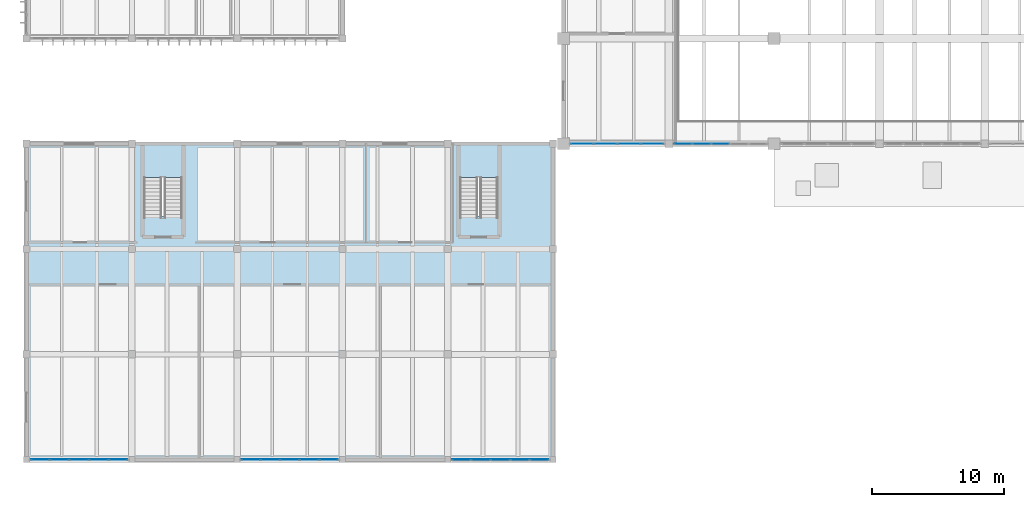
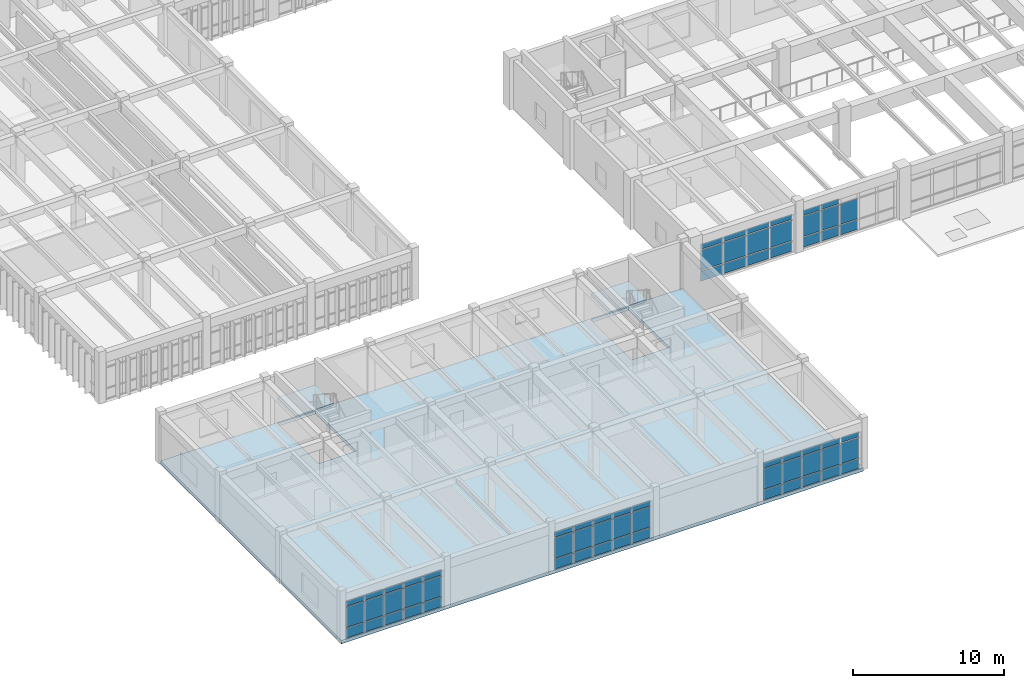
# One storey, part 29 of 67: 65 plates, 3 slabs, 7 elements without a shape of their own.
"""IFC4 building model written with IfcOpenShell, lengths in metres."""

from ifc_helpers import new_model, si_unit, direction, frame, origin, origin_2d, place, context, subcontext, project, spatial, polyline, rectangle, outline, extrude, material, layer, layer_set, type_object, element, aggregate, save


model = new_model("IFC4")

# Units and contexts
model_context = context("Model", 3, precision=1e-05, world=origin(), true_north=direction((0.0, 1.0)))
body_context = subcontext(model_context, "Body", "Model", "MODEL_VIEW")
ifc_project = project(units=[si_unit("LENGTHUNIT", "METRE"), si_unit("AREAUNIT", "SQUARE_METRE"), si_unit("VOLUMEUNIT", "CUBIC_METRE"), si_unit("PLANEANGLEUNIT", "RADIAN"), si_unit("MASSUNIT", "GRAM", prefix="KILO")], contexts=[model_context])

# Site, building, storey
site_placement = place(None, origin())
site = spatial("IfcSite", under=ifc_project, at=site_placement, CompositionType="ELEMENT")
building_placement = place(site_placement, origin())
building = spatial("IfcBuilding", under=site, at=building_placement, Name="Tlaxcora Railside Police Headquarters", CompositionType="ELEMENT")
storey_placement = place(building_placement, frame((0.0, 0.0, 4.800048828125)))
storey = spatial("IfcBuildingStorey", under=building, at=storey_placement, Name="L01", CompositionType="ELEMENT", Elevation=4.800048828125)

# Curtain wall, plates
ifc_material_1 = material(Name="Thermally broken low-E insulated glazing", Category="glass")
curtain_wall_type_1 = type_object("IfcCurtainWallType", Name="Unitised Curtain Wall Assembly CW-23", PredefinedType="NOTDEFINED", material=ifc_material_1)
curtain_wall_1_placement = place(storey_placement, origin())
curtain_wall_1 = element("IfcCurtainWall", 1, at=curtain_wall_1_placement, inside=storey, type_object=curtain_wall_type_1, Name="V4 L01 curtain wall 24", PredefinedType="NOTDEFINED")
ifc_layer_1 = layer(ifc_material_1, 0.0400390625, Name="Thermally broken low-E insulated glazing")
ifc_layer_set_1 = layer_set([ifc_layer_1], Name="Thermally broken low-E insulated glazing")
plate_type_1 = type_object("IfcPlateType", Name="Curtain Wall Infill Panel CW-17", PredefinedType="CURTAIN_PANEL", material=ifc_layer_set_1)
plate_1_placement = place(storey_placement, frame((6.239990234375, 12.0, 0.080078125), z_axis=(0.0, 0.0, 1.0), x_axis=(1.0, 0.0, 0.0)))
plate_1 = element("IfcPlate", 2, at=plate_1_placement, type_object=plate_type_1, Name="CW panel 1.1", PredefinedType="CURTAIN_PANEL", context=body_context, shape_type="SweptSolid", body=[
    extrude(rectangle(XDim=1.3701171875, YDim=0.0400390625, at=origin_2d()), origin(), (0.0, 0.0, 1.0), 0.780029296875),
])
plate_2_placement = place(storey_placement, frame((6.239990234375, 12.0, 0.93994140625), z_axis=(0.0, 0.0, 1.0), x_axis=(1.0, 0.0, 0.0)))
plate_2 = element("IfcPlate", 3, at=plate_2_placement, type_object=plate_type_1, Name="CW panel 1.2", PredefinedType="CURTAIN_PANEL", context=body_context, shape_type="SweptSolid", body=[
    extrude(rectangle(XDim=1.3701171875, YDim=0.0400390625, at=origin_2d()), origin(), (0.0, 0.0, 1.0), 1.6298828125),
])
plate_3_placement = place(storey_placement, frame((6.239990234375, 12.0, 2.64990234375), z_axis=(0.0, 0.0, 1.0), x_axis=(1.0, 0.0, 0.0)))
plate_3 = element("IfcPlate", 4, at=plate_3_placement, type_object=plate_type_1, Name="CW panel 1.3", PredefinedType="CURTAIN_PANEL", context=body_context, shape_type="SweptSolid", body=[
    extrude(rectangle(XDim=1.3701171875, YDim=0.0400390625, at=origin_2d()), origin(), (0.0, 0.0, 1.0), 0.409912109375),
])
plate_4_placement = place(storey_placement, frame((7.7099609375, 12.0, 0.080078125), z_axis=(0.0, 0.0, 1.0), x_axis=(1.0, 0.0, 0.0)))
plate_4 = element("IfcPlate", 5, at=plate_4_placement, type_object=plate_type_1, Name="CW panel 2.1", PredefinedType="CURTAIN_PANEL", context=body_context, shape_type="SweptSolid", body=[
    extrude(rectangle(XDim=1.409912109375, YDim=0.0400390625, at=origin_2d()), origin(), (0.0, 0.0, 1.0), 0.780029296875),
])
plate_5_placement = place(storey_placement, frame((7.7099609375, 12.0, 0.93994140625), z_axis=(0.0, 0.0, 1.0), x_axis=(1.0, 0.0, 0.0)))
plate_5 = element("IfcPlate", 6, at=plate_5_placement, type_object=plate_type_1, Name="CW panel 2.2", PredefinedType="CURTAIN_PANEL", context=body_context, shape_type="SweptSolid", body=[
    extrude(rectangle(XDim=1.409912109375, YDim=0.0400390625, at=origin_2d()), origin(), (0.0, 0.0, 1.0), 1.6298828125),
])
plate_6_placement = place(storey_placement, frame((7.7099609375, 12.0, 2.64990234375), z_axis=(0.0, 0.0, 1.0), x_axis=(1.0, 0.0, 0.0)))
plate_6 = element("IfcPlate", 7, at=plate_6_placement, type_object=plate_type_1, Name="CW panel 2.3", PredefinedType="CURTAIN_PANEL", context=body_context, shape_type="SweptSolid", body=[
    extrude(rectangle(XDim=1.409912109375, YDim=0.0400390625, at=origin_2d()), origin(), (0.0, 0.0, 1.0), 0.409912109375),
])
plate_7_placement = place(storey_placement, frame((9.199951171875, 12.0, 0.080078125), z_axis=(0.0, 0.0, 1.0), x_axis=(1.0, 0.0, 0.0)))
plate_7 = element("IfcPlate", 8, at=plate_7_placement, type_object=plate_type_1, Name="CW panel 3.1", PredefinedType="CURTAIN_PANEL", context=body_context, shape_type="SweptSolid", body=[
    extrude(rectangle(XDim=1.409912109375, YDim=0.0400390625, at=origin_2d()), origin(), (0.0, 0.0, 1.0), 0.780029296875),
])
plate_8_placement = place(storey_placement, frame((9.199951171875, 12.0, 0.93994140625), z_axis=(0.0, 0.0, 1.0), x_axis=(1.0, 0.0, 0.0)))
plate_8 = element("IfcPlate", 9, at=plate_8_placement, type_object=plate_type_1, Name="CW panel 3.2", PredefinedType="CURTAIN_PANEL", context=body_context, shape_type="SweptSolid", body=[
    extrude(rectangle(XDim=1.409912109375, YDim=0.0400390625, at=origin_2d()), origin(), (0.0, 0.0, 1.0), 1.6298828125),
])
plate_9_placement = place(storey_placement, frame((9.199951171875, 12.0, 2.64990234375), z_axis=(0.0, 0.0, 1.0), x_axis=(1.0, 0.0, 0.0)))
plate_9 = element("IfcPlate", 10, at=plate_9_placement, type_object=plate_type_1, Name="CW panel 3.3", PredefinedType="CURTAIN_PANEL", context=body_context, shape_type="SweptSolid", body=[
    extrude(rectangle(XDim=1.409912109375, YDim=0.0400390625, at=origin_2d()), origin(), (0.0, 0.0, 1.0), 0.409912109375),
])
plate_10_placement = place(storey_placement, frame((10.68994140625, 12.0, 0.080078125), z_axis=(0.0, 0.0, 1.0), x_axis=(1.0, 0.0, 0.0)))
plate_10 = element("IfcPlate", 11, at=plate_10_placement, type_object=plate_type_1, Name="CW panel 4.1", PredefinedType="CURTAIN_PANEL", context=body_context, shape_type="SweptSolid", body=[
    extrude(rectangle(XDim=1.409912109375, YDim=0.0400390625, at=origin_2d()), origin(), (0.0, 0.0, 1.0), 0.780029296875),
])
plate_11_placement = place(storey_placement, frame((10.68994140625, 12.0, 0.93994140625), z_axis=(0.0, 0.0, 1.0), x_axis=(1.0, 0.0, 0.0)))
plate_11 = element("IfcPlate", 12, at=plate_11_placement, type_object=plate_type_1, Name="CW panel 4.2", PredefinedType="CURTAIN_PANEL", context=body_context, shape_type="SweptSolid", body=[
    extrude(rectangle(XDim=1.409912109375, YDim=0.0400390625, at=origin_2d()), origin(), (0.0, 0.0, 1.0), 1.6298828125),
])
plate_12_placement = place(storey_placement, frame((10.68994140625, 12.0, 2.64990234375), z_axis=(0.0, 0.0, 1.0), x_axis=(1.0, 0.0, 0.0)))
plate_12 = element("IfcPlate", 13, at=plate_12_placement, type_object=plate_type_1, Name="CW panel 4.3", PredefinedType="CURTAIN_PANEL", context=body_context, shape_type="SweptSolid", body=[
    extrude(rectangle(XDim=1.409912109375, YDim=0.0400390625, at=origin_2d()), origin(), (0.0, 0.0, 1.0), 0.409912109375),
])
plate_13_placement = place(storey_placement, frame((12.159912109375, 12.0, 0.080078125), z_axis=(0.0, 0.0, 1.0), x_axis=(1.0, 0.0, 0.0)))
plate_13 = element("IfcPlate", 14, at=plate_13_placement, type_object=plate_type_1, Name="CW panel 5.1", PredefinedType="CURTAIN_PANEL", context=body_context, shape_type="SweptSolid", body=[
    extrude(rectangle(XDim=1.3701171875, YDim=0.0400390625, at=origin_2d()), origin(), (0.0, 0.0, 1.0), 0.780029296875),
])
plate_14_placement = place(storey_placement, frame((12.159912109375, 12.0, 0.93994140625), z_axis=(0.0, 0.0, 1.0), x_axis=(1.0, 0.0, 0.0)))
plate_14 = element("IfcPlate", 15, at=plate_14_placement, type_object=plate_type_1, Name="CW panel 5.2", PredefinedType="CURTAIN_PANEL", context=body_context, shape_type="SweptSolid", body=[
    extrude(rectangle(XDim=1.3701171875, YDim=0.0400390625, at=origin_2d()), origin(), (0.0, 0.0, 1.0), 1.6298828125),
])
plate_15_placement = place(storey_placement, frame((12.159912109375, 12.0, 2.64990234375), z_axis=(0.0, 0.0, 1.0), x_axis=(1.0, 0.0, 0.0)))
plate_15 = element("IfcPlate", 16, at=plate_15_placement, type_object=plate_type_1, Name="CW panel 5.3", PredefinedType="CURTAIN_PANEL", context=body_context, shape_type="SweptSolid", body=[
    extrude(rectangle(XDim=1.3701171875, YDim=0.0400390625, at=origin_2d()), origin(), (0.0, 0.0, 1.0), 0.409912109375),
])
aggregate(curtain_wall_1, [plate_1, plate_2, plate_3, plate_4, plate_5, plate_6, plate_7, plate_8, plate_9, plate_10, plate_11, plate_12, plate_13, plate_14, plate_15])

curtain_wall_type_2 = type_object("IfcCurtainWallType", Name="Unitised Curtain Wall Assembly CW-15", PredefinedType="NOTDEFINED", material=ifc_material_1)
curtain_wall_2_placement = place(storey_placement, origin())
curtain_wall_2 = element("IfcCurtainWall", 17, at=curtain_wall_2_placement, inside=storey, type_object=curtain_wall_type_2, Name="V1 L01 curtain wall 6", PredefinedType="NOTDEFINED")
ifc_layer_2 = layer(ifc_material_1, 0.031982421875, Name="Thermally broken low-E insulated glazing")
ifc_layer_set_2 = layer_set([ifc_layer_2], Name="Thermally broken low-E insulated glazing")
plate_type_2 = type_object("IfcPlateType", Name="Curtain Wall Infill Panel CW-41", PredefinedType="CURTAIN_PANEL", material=ifc_layer_set_2)
plate_16_placement = place(storey_placement, frame((55.083740234375, 36.0, 0.074951171875), z_axis=(0.0, 0.0, 1.0), x_axis=(1.0, 0.0, 0.0)))
plate_16 = element("IfcPlate", 18, at=plate_16_placement, type_object=plate_type_2, Name="CW panel 1.1", PredefinedType="CURTAIN_PANEL", context=body_context, shape_type="SweptSolid", body=[
    extrude(rectangle(XDim=1.3173828125, YDim=0.031982421875, at=origin_2d()), origin(), (0.0, 0.0, 1.0), 0.78759765625),
])
plate_17_placement = place(storey_placement, frame((55.083740234375, 36.0, 0.9375), z_axis=(0.0, 0.0, 1.0), x_axis=(1.0, 0.0, 0.0)))
plate_17 = element("IfcPlate", 19, at=plate_17_placement, type_object=plate_type_2, Name="CW panel 1.2", PredefinedType="CURTAIN_PANEL", context=body_context, shape_type="SweptSolid", body=[
    extrude(rectangle(XDim=1.3173828125, YDim=0.031982421875, at=origin_2d()), origin(), (0.0, 0.0, 1.0), 1.635009765625),
])
plate_18_placement = place(storey_placement, frame((55.083740234375, 36.0, 2.6474609375), z_axis=(0.0, 0.0, 1.0), x_axis=(1.0, 0.0, 0.0)))
plate_18 = element("IfcPlate", 20, at=plate_18_placement, type_object=plate_type_2, Name="CW panel 1.3", PredefinedType="CURTAIN_PANEL", context=body_context, shape_type="SweptSolid", body=[
    extrude(rectangle(XDim=1.3173828125, YDim=0.031982421875, at=origin_2d()), origin(), (0.0, 0.0, 1.0), 0.41748046875),
])
plate_19_placement = place(storey_placement, frame((56.4951171875, 36.0, 0.074951171875), z_axis=(0.0, 0.0, 1.0), x_axis=(1.0, 0.0, 0.0)))
plate_19 = element("IfcPlate", 21, at=plate_19_placement, type_object=plate_type_2, Name="CW panel 2.1", PredefinedType="CURTAIN_PANEL", context=body_context, shape_type="SweptSolid", body=[
    extrude(rectangle(XDim=1.35498046875, YDim=0.031982421875, at=origin_2d()), origin(), (0.0, 0.0, 1.0), 0.78759765625),
])
plate_20_placement = place(storey_placement, frame((56.4951171875, 36.0, 0.9375), z_axis=(0.0, 0.0, 1.0), x_axis=(1.0, 0.0, 0.0)))
plate_20 = element("IfcPlate", 22, at=plate_20_placement, type_object=plate_type_2, Name="CW panel 2.2", PredefinedType="CURTAIN_PANEL", context=body_context, shape_type="SweptSolid", body=[
    extrude(rectangle(XDim=1.35498046875, YDim=0.031982421875, at=origin_2d()), origin(), (0.0, 0.0, 1.0), 1.635009765625),
])
plate_21_placement = place(storey_placement, frame((56.4951171875, 36.0, 2.6474609375), z_axis=(0.0, 0.0, 1.0), x_axis=(1.0, 0.0, 0.0)))
plate_21 = element("IfcPlate", 23, at=plate_21_placement, type_object=plate_type_2, Name="CW panel 2.3", PredefinedType="CURTAIN_PANEL", context=body_context, shape_type="SweptSolid", body=[
    extrude(rectangle(XDim=1.35498046875, YDim=0.031982421875, at=origin_2d()), origin(), (0.0, 0.0, 1.0), 0.41748046875),
])
plate_22_placement = place(storey_placement, frame((57.925048828125, 36.0, 0.074951171875), z_axis=(0.0, 0.0, 1.0), x_axis=(1.0, 0.0, 0.0)))
plate_22 = element("IfcPlate", 24, at=plate_22_placement, type_object=plate_type_2, Name="CW panel 3.1", PredefinedType="CURTAIN_PANEL", context=body_context, shape_type="SweptSolid", body=[
    extrude(rectangle(XDim=1.35498046875, YDim=0.031982421875, at=origin_2d()), origin(), (0.0, 0.0, 1.0), 0.78759765625),
])
plate_23_placement = place(storey_placement, frame((57.925048828125, 36.0, 0.9375), z_axis=(0.0, 0.0, 1.0), x_axis=(1.0, 0.0, 0.0)))
plate_23 = element("IfcPlate", 25, at=plate_23_placement, type_object=plate_type_2, Name="CW panel 3.2", PredefinedType="CURTAIN_PANEL", context=body_context, shape_type="SweptSolid", body=[
    extrude(rectangle(XDim=1.35498046875, YDim=0.031982421875, at=origin_2d()), origin(), (0.0, 0.0, 1.0), 1.635009765625),
])
aggregate(curtain_wall_2, [plate_16, plate_17, plate_18, plate_19, plate_20, plate_21, plate_22, plate_23])

curtain_wall_3_placement = place(storey_placement, origin())
curtain_wall_3 = element("IfcCurtainWall", 26, at=curtain_wall_3_placement, inside=storey, type_object=curtain_wall_type_2, Name="V4 L01 curtain wall 26", PredefinedType="NOTDEFINED")
plate_24_placement = place(storey_placement, frame((38.23876953125, 12.0, 0.074951171875), z_axis=(0.0, 0.0, 1.0), x_axis=(1.0, 0.0, 0.0)))
plate_24 = element("IfcPlate", 27, at=plate_24_placement, type_object=plate_type_2, Name="CW panel 1.1", PredefinedType="CURTAIN_PANEL", context=body_context, shape_type="SweptSolid", body=[
    extrude(rectangle(XDim=1.37744140625, YDim=0.031982421875, at=origin_2d()), origin(), (0.0, 0.0, 1.0), 0.78759765625),
])
plate_25_placement = place(storey_placement, frame((38.23876953125, 12.0, 0.9375), z_axis=(0.0, 0.0, 1.0), x_axis=(1.0, 0.0, 0.0)))
plate_25 = element("IfcPlate", 28, at=plate_25_placement, type_object=plate_type_2, Name="CW panel 1.2", PredefinedType="CURTAIN_PANEL", context=body_context, shape_type="SweptSolid", body=[
    extrude(rectangle(XDim=1.37744140625, YDim=0.031982421875, at=origin_2d()), origin(), (0.0, 0.0, 1.0), 1.635009765625),
])
plate_26_placement = place(storey_placement, frame((38.23876953125, 12.0, 2.6474609375), z_axis=(0.0, 0.0, 1.0), x_axis=(1.0, 0.0, 0.0)))
plate_26 = element("IfcPlate", 29, at=plate_26_placement, type_object=plate_type_2, Name="CW panel 1.3", PredefinedType="CURTAIN_PANEL", context=body_context, shape_type="SweptSolid", body=[
    extrude(rectangle(XDim=1.37744140625, YDim=0.031982421875, at=origin_2d()), origin(), (0.0, 0.0, 1.0), 0.41748046875),
])
plate_27_placement = place(storey_placement, frame((39.7099609375, 12.0, 0.074951171875), z_axis=(0.0, 0.0, 1.0), x_axis=(1.0, 0.0, 0.0)))
plate_27 = element("IfcPlate", 30, at=plate_27_placement, type_object=plate_type_2, Name="CW panel 2.1", PredefinedType="CURTAIN_PANEL", context=body_context, shape_type="SweptSolid", body=[
    extrude(rectangle(XDim=1.4150390625, YDim=0.031982421875, at=origin_2d()), origin(), (0.0, 0.0, 1.0), 0.78759765625),
])
plate_28_placement = place(storey_placement, frame((39.7099609375, 12.0, 0.9375), z_axis=(0.0, 0.0, 1.0), x_axis=(1.0, 0.0, 0.0)))
plate_28 = element("IfcPlate", 31, at=plate_28_placement, type_object=plate_type_2, Name="CW panel 2.2", PredefinedType="CURTAIN_PANEL", context=body_context, shape_type="SweptSolid", body=[
    extrude(rectangle(XDim=1.4150390625, YDim=0.031982421875, at=origin_2d()), origin(), (0.0, 0.0, 1.0), 1.635009765625),
])
plate_29_placement = place(storey_placement, frame((39.7099609375, 12.0, 2.6474609375), z_axis=(0.0, 0.0, 1.0), x_axis=(1.0, 0.0, 0.0)))
plate_29 = element("IfcPlate", 32, at=plate_29_placement, type_object=plate_type_2, Name="CW panel 2.3", PredefinedType="CURTAIN_PANEL", context=body_context, shape_type="SweptSolid", body=[
    extrude(rectangle(XDim=1.4150390625, YDim=0.031982421875, at=origin_2d()), origin(), (0.0, 0.0, 1.0), 0.41748046875),
])
plate_30_placement = place(storey_placement, frame((41.199951171875, 12.0, 0.074951171875), z_axis=(0.0, 0.0, 1.0), x_axis=(1.0, 0.0, 0.0)))
plate_30 = element("IfcPlate", 33, at=plate_30_placement, type_object=plate_type_2, Name="CW panel 3.1", PredefinedType="CURTAIN_PANEL", context=body_context, shape_type="SweptSolid", body=[
    extrude(rectangle(XDim=1.4150390625, YDim=0.031982421875, at=origin_2d()), origin(), (0.0, 0.0, 1.0), 0.78759765625),
])
plate_31_placement = place(storey_placement, frame((41.199951171875, 12.0, 0.9375), z_axis=(0.0, 0.0, 1.0), x_axis=(1.0, 0.0, 0.0)))
plate_31 = element("IfcPlate", 34, at=plate_31_placement, type_object=plate_type_2, Name="CW panel 3.2", PredefinedType="CURTAIN_PANEL", context=body_context, shape_type="SweptSolid", body=[
    extrude(rectangle(XDim=1.4150390625, YDim=0.031982421875, at=origin_2d()), origin(), (0.0, 0.0, 1.0), 1.635009765625),
])
plate_32_placement = place(storey_placement, frame((41.199951171875, 12.0, 2.6474609375), z_axis=(0.0, 0.0, 1.0), x_axis=(1.0, 0.0, 0.0)))
plate_32 = element("IfcPlate", 35, at=plate_32_placement, type_object=plate_type_2, Name="CW panel 3.3", PredefinedType="CURTAIN_PANEL", context=body_context, shape_type="SweptSolid", body=[
    extrude(rectangle(XDim=1.4150390625, YDim=0.031982421875, at=origin_2d()), origin(), (0.0, 0.0, 1.0), 0.41748046875),
])
plate_33_placement = place(storey_placement, frame((42.68994140625, 12.0, 0.074951171875), z_axis=(0.0, 0.0, 1.0), x_axis=(1.0, 0.0, 0.0)))
plate_33 = element("IfcPlate", 36, at=plate_33_placement, type_object=plate_type_2, Name="CW panel 4.1", PredefinedType="CURTAIN_PANEL", context=body_context, shape_type="SweptSolid", body=[
    extrude(rectangle(XDim=1.4150390625, YDim=0.031982421875, at=origin_2d()), origin(), (0.0, 0.0, 1.0), 0.78759765625),
])
plate_34_placement = place(storey_placement, frame((42.68994140625, 12.0, 0.9375), z_axis=(0.0, 0.0, 1.0), x_axis=(1.0, 0.0, 0.0)))
plate_34 = element("IfcPlate", 37, at=plate_34_placement, type_object=plate_type_2, Name="CW panel 4.2", PredefinedType="CURTAIN_PANEL", context=body_context, shape_type="SweptSolid", body=[
    extrude(rectangle(XDim=1.4150390625, YDim=0.031982421875, at=origin_2d()), origin(), (0.0, 0.0, 1.0), 1.635009765625),
])
plate_35_placement = place(storey_placement, frame((42.68994140625, 12.0, 2.6474609375), z_axis=(0.0, 0.0, 1.0), x_axis=(1.0, 0.0, 0.0)))
plate_35 = element("IfcPlate", 38, at=plate_35_placement, type_object=plate_type_2, Name="CW panel 4.3", PredefinedType="CURTAIN_PANEL", context=body_context, shape_type="SweptSolid", body=[
    extrude(rectangle(XDim=1.4150390625, YDim=0.031982421875, at=origin_2d()), origin(), (0.0, 0.0, 1.0), 0.41748046875),
])
plate_36_placement = place(storey_placement, frame((44.1611328125, 12.0, 0.074951171875), z_axis=(0.0, 0.0, 1.0), x_axis=(1.0, 0.0, 0.0)))
plate_36 = element("IfcPlate", 39, at=plate_36_placement, type_object=plate_type_2, Name="CW panel 5.1", PredefinedType="CURTAIN_PANEL", context=body_context, shape_type="SweptSolid", body=[
    extrude(rectangle(XDim=1.37744140625, YDim=0.031982421875, at=origin_2d()), origin(), (0.0, 0.0, 1.0), 0.78759765625),
])
plate_37_placement = place(storey_placement, frame((44.1611328125, 12.0, 0.9375), z_axis=(0.0, 0.0, 1.0), x_axis=(1.0, 0.0, 0.0)))
plate_37 = element("IfcPlate", 40, at=plate_37_placement, type_object=plate_type_2, Name="CW panel 5.2", PredefinedType="CURTAIN_PANEL", context=body_context, shape_type="SweptSolid", body=[
    extrude(rectangle(XDim=1.37744140625, YDim=0.031982421875, at=origin_2d()), origin(), (0.0, 0.0, 1.0), 1.635009765625),
])
plate_38_placement = place(storey_placement, frame((44.1611328125, 12.0, 2.6474609375), z_axis=(0.0, 0.0, 1.0), x_axis=(1.0, 0.0, 0.0)))
plate_38 = element("IfcPlate", 41, at=plate_38_placement, type_object=plate_type_2, Name="CW panel 5.3", PredefinedType="CURTAIN_PANEL", context=body_context, shape_type="SweptSolid", body=[
    extrude(rectangle(XDim=1.37744140625, YDim=0.031982421875, at=origin_2d()), origin(), (0.0, 0.0, 1.0), 0.41748046875),
])
aggregate(curtain_wall_3, [plate_24, plate_25, plate_26, plate_27, plate_28, plate_29, plate_30, plate_31, plate_32, plate_33, plate_34, plate_35, plate_36, plate_37, plate_38])

curtain_wall_type_3 = type_object("IfcCurtainWallType", Name="Unitised Curtain Wall Assembly CW-38", PredefinedType="NOTDEFINED", material=ifc_material_1)
curtain_wall_4_placement = place(storey_placement, origin())
curtain_wall_4 = element("IfcCurtainWall", 42, at=curtain_wall_4_placement, inside=storey, type_object=curtain_wall_type_3, Name="V1 L01 curtain wall 5", PredefinedType="NOTDEFINED")
ifc_layer_3 = layer(ifc_material_1, 0.028076171875, Name="Thermally broken low-E insulated glazing")
ifc_layer_set_3 = layer_set([ifc_layer_3], Name="Thermally broken low-E insulated glazing")
plate_type_3 = type_object("IfcPlateType", Name="Curtain Wall Infill Panel CW-92", PredefinedType="CURTAIN_PANEL", material=ifc_layer_set_3)
plate_39_placement = place(storey_placement, frame((47.41259765625, 36.0, 0.074951171875), z_axis=(0.0, 0.0, 1.0), x_axis=(1.0, 0.0, 0.0)))
plate_39 = element("IfcPlate", 43, at=plate_39_placement, type_object=plate_type_3, Name="CW panel 1.1", PredefinedType="CURTAIN_PANEL", context=body_context, shape_type="SweptSolid", body=[
    extrude(rectangle(XDim=1.675048828125, YDim=0.028076171875, at=origin_2d()), origin(), (0.0, 0.0, 1.0), 0.78759765625),
])
plate_40_placement = place(storey_placement, frame((47.41259765625, 36.0, 0.9375), z_axis=(0.0, 0.0, 1.0), x_axis=(1.0, 0.0, 0.0)))
plate_40 = element("IfcPlate", 44, at=plate_40_placement, type_object=plate_type_3, Name="CW panel 1.2", PredefinedType="CURTAIN_PANEL", context=body_context, shape_type="SweptSolid", body=[
    extrude(rectangle(XDim=1.675048828125, YDim=0.028076171875, at=origin_2d()), origin(), (0.0, 0.0, 1.0), 1.635009765625),
])
plate_41_placement = place(storey_placement, frame((47.41259765625, 36.0, 2.6474609375), z_axis=(0.0, 0.0, 1.0), x_axis=(1.0, 0.0, 0.0)))
plate_41 = element("IfcPlate", 45, at=plate_41_placement, type_object=plate_type_3, Name="CW panel 1.3", PredefinedType="CURTAIN_PANEL", context=body_context, shape_type="SweptSolid", body=[
    extrude(rectangle(XDim=1.675048828125, YDim=0.028076171875, at=origin_2d()), origin(), (0.0, 0.0, 1.0), 0.41748046875),
])
plate_42_placement = place(storey_placement, frame((49.18115234375, 36.0, 0.074951171875), z_axis=(0.0, 0.0, 1.0), x_axis=(1.0, 0.0, 0.0)))
plate_42 = element("IfcPlate", 46, at=plate_42_placement, type_object=plate_type_3, Name="CW panel 2.1", PredefinedType="CURTAIN_PANEL", context=body_context, shape_type="SweptSolid", body=[
    extrude(rectangle(XDim=1.71240234375, YDim=0.028076171875, at=origin_2d()), origin(), (0.0, 0.0, 1.0), 0.78759765625),
])
plate_43_placement = place(storey_placement, frame((49.18115234375, 36.0, 0.9375), z_axis=(0.0, 0.0, 1.0), x_axis=(1.0, 0.0, 0.0)))
plate_43 = element("IfcPlate", 47, at=plate_43_placement, type_object=plate_type_3, Name="CW panel 2.2", PredefinedType="CURTAIN_PANEL", context=body_context, shape_type="SweptSolid", body=[
    extrude(rectangle(XDim=1.71240234375, YDim=0.028076171875, at=origin_2d()), origin(), (0.0, 0.0, 1.0), 1.635009765625),
])
plate_44_placement = place(storey_placement, frame((49.18115234375, 36.0, 2.6474609375), z_axis=(0.0, 0.0, 1.0), x_axis=(1.0, 0.0, 0.0)))
plate_44 = element("IfcPlate", 48, at=plate_44_placement, type_object=plate_type_3, Name="CW panel 2.3", PredefinedType="CURTAIN_PANEL", context=body_context, shape_type="SweptSolid", body=[
    extrude(rectangle(XDim=1.71240234375, YDim=0.028076171875, at=origin_2d()), origin(), (0.0, 0.0, 1.0), 0.41748046875),
])
plate_45_placement = place(storey_placement, frame((50.96875, 36.0, 0.074951171875), z_axis=(0.0, 0.0, 1.0), x_axis=(1.0, 0.0, 0.0)))
plate_45 = element("IfcPlate", 49, at=plate_45_placement, type_object=plate_type_3, Name="CW panel 3.1", PredefinedType="CURTAIN_PANEL", context=body_context, shape_type="SweptSolid", body=[
    extrude(rectangle(XDim=1.71240234375, YDim=0.028076171875, at=origin_2d()), origin(), (0.0, 0.0, 1.0), 0.78759765625),
])
plate_46_placement = place(storey_placement, frame((50.96875, 36.0, 0.9375), z_axis=(0.0, 0.0, 1.0), x_axis=(1.0, 0.0, 0.0)))
plate_46 = element("IfcPlate", 50, at=plate_46_placement, type_object=plate_type_3, Name="CW panel 3.2", PredefinedType="CURTAIN_PANEL", context=body_context, shape_type="SweptSolid", body=[
    extrude(rectangle(XDim=1.71240234375, YDim=0.028076171875, at=origin_2d()), origin(), (0.0, 0.0, 1.0), 1.635009765625),
])
plate_47_placement = place(storey_placement, frame((50.96875, 36.0, 2.6474609375), z_axis=(0.0, 0.0, 1.0), x_axis=(1.0, 0.0, 0.0)))
plate_47 = element("IfcPlate", 51, at=plate_47_placement, type_object=plate_type_3, Name="CW panel 3.3", PredefinedType="CURTAIN_PANEL", context=body_context, shape_type="SweptSolid", body=[
    extrude(rectangle(XDim=1.71240234375, YDim=0.028076171875, at=origin_2d()), origin(), (0.0, 0.0, 1.0), 0.41748046875),
])
plate_48_placement = place(storey_placement, frame((52.737548828125, 36.0, 0.074951171875), z_axis=(0.0, 0.0, 1.0), x_axis=(1.0, 0.0, 0.0)))
plate_48 = element("IfcPlate", 52, at=plate_48_placement, type_object=plate_type_3, Name="CW panel 4.1", PredefinedType="CURTAIN_PANEL", context=body_context, shape_type="SweptSolid", body=[
    extrude(rectangle(XDim=1.675048828125, YDim=0.028076171875, at=origin_2d()), origin(), (0.0, 0.0, 1.0), 0.78759765625),
])
plate_49_placement = place(storey_placement, frame((52.737548828125, 36.0, 0.9375), z_axis=(0.0, 0.0, 1.0), x_axis=(1.0, 0.0, 0.0)))
plate_49 = element("IfcPlate", 53, at=plate_49_placement, type_object=plate_type_3, Name="CW panel 4.2", PredefinedType="CURTAIN_PANEL", context=body_context, shape_type="SweptSolid", body=[
    extrude(rectangle(XDim=1.675048828125, YDim=0.028076171875, at=origin_2d()), origin(), (0.0, 0.0, 1.0), 1.635009765625),
])
plate_50_placement = place(storey_placement, frame((52.737548828125, 36.0, 2.6474609375), z_axis=(0.0, 0.0, 1.0), x_axis=(1.0, 0.0, 0.0)))
plate_50 = element("IfcPlate", 54, at=plate_50_placement, type_object=plate_type_3, Name="CW panel 4.3", PredefinedType="CURTAIN_PANEL", context=body_context, shape_type="SweptSolid", body=[
    extrude(rectangle(XDim=1.675048828125, YDim=0.028076171875, at=origin_2d()), origin(), (0.0, 0.0, 1.0), 0.41748046875),
])
aggregate(curtain_wall_4, [plate_39, plate_40, plate_41, plate_42, plate_43, plate_44, plate_45, plate_46, plate_47, plate_48, plate_49, plate_50])

curtain_wall_5_placement = place(storey_placement, origin())
curtain_wall_5 = element("IfcCurtainWall", 55, at=curtain_wall_5_placement, inside=storey, type_object=curtain_wall_type_3, Name="V4 L01 curtain wall 25", PredefinedType="NOTDEFINED")
plate_51_placement = place(storey_placement, frame((22.23876953125, 12.0, 0.074951171875), z_axis=(0.0, 0.0, 1.0), x_axis=(1.0, 0.0, 0.0)))
plate_51 = element("IfcPlate", 56, at=plate_51_placement, type_object=plate_type_3, Name="CW panel 1.1", PredefinedType="CURTAIN_PANEL", context=body_context, shape_type="SweptSolid", body=[
    extrude(rectangle(XDim=1.37744140625, YDim=0.028076171875, at=origin_2d()), origin(), (0.0, 0.0, 1.0), 0.78759765625),
])
plate_52_placement = place(storey_placement, frame((22.23876953125, 12.0, 0.9375), z_axis=(0.0, 0.0, 1.0), x_axis=(1.0, 0.0, 0.0)))
plate_52 = element("IfcPlate", 57, at=plate_52_placement, type_object=plate_type_3, Name="CW panel 1.2", PredefinedType="CURTAIN_PANEL", context=body_context, shape_type="SweptSolid", body=[
    extrude(rectangle(XDim=1.37744140625, YDim=0.028076171875, at=origin_2d()), origin(), (0.0, 0.0, 1.0), 1.635009765625),
])
plate_53_placement = place(storey_placement, frame((22.23876953125, 12.0, 2.6474609375), z_axis=(0.0, 0.0, 1.0), x_axis=(1.0, 0.0, 0.0)))
plate_53 = element("IfcPlate", 58, at=plate_53_placement, type_object=plate_type_3, Name="CW panel 1.3", PredefinedType="CURTAIN_PANEL", context=body_context, shape_type="SweptSolid", body=[
    extrude(rectangle(XDim=1.37744140625, YDim=0.028076171875, at=origin_2d()), origin(), (0.0, 0.0, 1.0), 0.41748046875),
])
plate_54_placement = place(storey_placement, frame((23.7099609375, 12.0, 0.074951171875), z_axis=(0.0, 0.0, 1.0), x_axis=(1.0, 0.0, 0.0)))
plate_54 = element("IfcPlate", 59, at=plate_54_placement, type_object=plate_type_3, Name="CW panel 2.1", PredefinedType="CURTAIN_PANEL", context=body_context, shape_type="SweptSolid", body=[
    extrude(rectangle(XDim=1.4150390625, YDim=0.028076171875, at=origin_2d()), origin(), (0.0, 0.0, 1.0), 0.78759765625),
])
plate_55_placement = place(storey_placement, frame((23.7099609375, 12.0, 0.9375), z_axis=(0.0, 0.0, 1.0), x_axis=(1.0, 0.0, 0.0)))
plate_55 = element("IfcPlate", 60, at=plate_55_placement, type_object=plate_type_3, Name="CW panel 2.2", PredefinedType="CURTAIN_PANEL", context=body_context, shape_type="SweptSolid", body=[
    extrude(rectangle(XDim=1.4150390625, YDim=0.028076171875, at=origin_2d()), origin(), (0.0, 0.0, 1.0), 1.635009765625),
])
plate_56_placement = place(storey_placement, frame((23.7099609375, 12.0, 2.6474609375), z_axis=(0.0, 0.0, 1.0), x_axis=(1.0, 0.0, 0.0)))
plate_56 = element("IfcPlate", 61, at=plate_56_placement, type_object=plate_type_3, Name="CW panel 2.3", PredefinedType="CURTAIN_PANEL", context=body_context, shape_type="SweptSolid", body=[
    extrude(rectangle(XDim=1.4150390625, YDim=0.028076171875, at=origin_2d()), origin(), (0.0, 0.0, 1.0), 0.41748046875),
])
plate_57_placement = place(storey_placement, frame((25.199951171875, 12.0, 0.074951171875), z_axis=(0.0, 0.0, 1.0), x_axis=(1.0, 0.0, 0.0)))
plate_57 = element("IfcPlate", 62, at=plate_57_placement, type_object=plate_type_3, Name="CW panel 3.1", PredefinedType="CURTAIN_PANEL", context=body_context, shape_type="SweptSolid", body=[
    extrude(rectangle(XDim=1.4150390625, YDim=0.028076171875, at=origin_2d()), origin(), (0.0, 0.0, 1.0), 0.78759765625),
])
plate_58_placement = place(storey_placement, frame((25.199951171875, 12.0, 0.9375), z_axis=(0.0, 0.0, 1.0), x_axis=(1.0, 0.0, 0.0)))
plate_58 = element("IfcPlate", 63, at=plate_58_placement, type_object=plate_type_3, Name="CW panel 3.2", PredefinedType="CURTAIN_PANEL", context=body_context, shape_type="SweptSolid", body=[
    extrude(rectangle(XDim=1.4150390625, YDim=0.028076171875, at=origin_2d()), origin(), (0.0, 0.0, 1.0), 1.635009765625),
])
plate_59_placement = place(storey_placement, frame((25.199951171875, 12.0, 2.6474609375), z_axis=(0.0, 0.0, 1.0), x_axis=(1.0, 0.0, 0.0)))
plate_59 = element("IfcPlate", 64, at=plate_59_placement, type_object=plate_type_3, Name="CW panel 3.3", PredefinedType="CURTAIN_PANEL", context=body_context, shape_type="SweptSolid", body=[
    extrude(rectangle(XDim=1.4150390625, YDim=0.028076171875, at=origin_2d()), origin(), (0.0, 0.0, 1.0), 0.41748046875),
])
plate_60_placement = place(storey_placement, frame((26.68994140625, 12.0, 0.074951171875), z_axis=(0.0, 0.0, 1.0), x_axis=(1.0, 0.0, 0.0)))
plate_60 = element("IfcPlate", 65, at=plate_60_placement, type_object=plate_type_3, Name="CW panel 4.1", PredefinedType="CURTAIN_PANEL", context=body_context, shape_type="SweptSolid", body=[
    extrude(rectangle(XDim=1.4150390625, YDim=0.028076171875, at=origin_2d()), origin(), (0.0, 0.0, 1.0), 0.78759765625),
])
plate_61_placement = place(storey_placement, frame((26.68994140625, 12.0, 0.9375), z_axis=(0.0, 0.0, 1.0), x_axis=(1.0, 0.0, 0.0)))
plate_61 = element("IfcPlate", 66, at=plate_61_placement, type_object=plate_type_3, Name="CW panel 4.2", PredefinedType="CURTAIN_PANEL", context=body_context, shape_type="SweptSolid", body=[
    extrude(rectangle(XDim=1.4150390625, YDim=0.028076171875, at=origin_2d()), origin(), (0.0, 0.0, 1.0), 1.635009765625),
])
plate_62_placement = place(storey_placement, frame((26.68994140625, 12.0, 2.6474609375), z_axis=(0.0, 0.0, 1.0), x_axis=(1.0, 0.0, 0.0)))
plate_62 = element("IfcPlate", 67, at=plate_62_placement, type_object=plate_type_3, Name="CW panel 4.3", PredefinedType="CURTAIN_PANEL", context=body_context, shape_type="SweptSolid", body=[
    extrude(rectangle(XDim=1.4150390625, YDim=0.028076171875, at=origin_2d()), origin(), (0.0, 0.0, 1.0), 0.41748046875),
])
plate_63_placement = place(storey_placement, frame((28.1611328125, 12.0, 0.074951171875), z_axis=(0.0, 0.0, 1.0), x_axis=(1.0, 0.0, 0.0)))
plate_63 = element("IfcPlate", 68, at=plate_63_placement, type_object=plate_type_3, Name="CW panel 5.1", PredefinedType="CURTAIN_PANEL", context=body_context, shape_type="SweptSolid", body=[
    extrude(rectangle(XDim=1.37744140625, YDim=0.028076171875, at=origin_2d()), origin(), (0.0, 0.0, 1.0), 0.78759765625),
])
plate_64_placement = place(storey_placement, frame((28.1611328125, 12.0, 0.9375), z_axis=(0.0, 0.0, 1.0), x_axis=(1.0, 0.0, 0.0)))
plate_64 = element("IfcPlate", 69, at=plate_64_placement, type_object=plate_type_3, Name="CW panel 5.2", PredefinedType="CURTAIN_PANEL", context=body_context, shape_type="SweptSolid", body=[
    extrude(rectangle(XDim=1.37744140625, YDim=0.028076171875, at=origin_2d()), origin(), (0.0, 0.0, 1.0), 1.635009765625),
])
plate_65_placement = place(storey_placement, frame((28.1611328125, 12.0, 2.6474609375), z_axis=(0.0, 0.0, 1.0), x_axis=(1.0, 0.0, 0.0)))
plate_65 = element("IfcPlate", 70, at=plate_65_placement, type_object=plate_type_3, Name="CW panel 5.3", PredefinedType="CURTAIN_PANEL", context=body_context, shape_type="SweptSolid", body=[
    extrude(rectangle(XDim=1.37744140625, YDim=0.028076171875, at=origin_2d()), origin(), (0.0, 0.0, 1.0), 0.41748046875),
])
aggregate(curtain_wall_5, [plate_51, plate_52, plate_53, plate_54, plate_55, plate_56, plate_57, plate_58, plate_59, plate_60, plate_61, plate_62, plate_63, plate_64, plate_65])

# Stair, slab
ifc_material_2 = material(Name="Concrete C40/50", Category="concrete")
stair_type = type_object("IfcStairType", Name="Half-Turn Dog-Leg Stair ST-49", PredefinedType="HALF_TURN_STAIR", material=ifc_material_2)
stair_1_placement = place(storey_placement, origin())
stair_1 = element("IfcStair", 71, at=stair_1_placement, inside=storey, type_object=stair_type, Name="L01 ST6", PredefinedType="HALF_TURN_STAIR")
ifc_material_3 = material(Name="Concrete C35/45", Category="concrete")
ifc_layer_4 = layer(ifc_material_3, 0.199951171875, Name="Concrete C35/45")
ifc_layer_set_4 = layer_set([ifc_layer_4], Name="Concrete C35/45")
slab_type_1 = type_object("IfcSlabType", Name="Stair Landing Slab SL-23", PredefinedType="LANDING", material=ifc_layer_set_4)
slab_1_placement = place(storey_placement, frame((0.0, 0.0, 1.89990234375)))
slab_1 = element("IfcSlab", 72, at=slab_1_placement, type_object=slab_type_1, Name="ST6 landing 1", PredefinedType="LANDING", context=body_context, shape_type="SweptSolid", body=[
    extrude(outline(polyline([(17.010009765625, 33.43994140625), (17.010009765625, 35.889892578125), (14.110107421875, 35.889892578125), (14.110107421875, 33.43994140625), (17.010009765625, 33.43994140625)])), origin(), (0.0, 0.0, 1.0), 0.199951171875),
])
aggregate(stair_1, [slab_1])

stair_2_placement = place(storey_placement, origin())
stair_2 = element("IfcStair", 73, at=stair_2_placement, inside=storey, type_object=stair_type, Name="L01 ST10", PredefinedType="HALF_TURN_STAIR")
slab_2_placement = place(storey_placement, frame((0.0, 0.0, 1.89990234375)))
slab_2 = element("IfcSlab", 74, at=slab_2_placement, type_object=slab_type_1, Name="ST10 landing 1", PredefinedType="LANDING", context=body_context, shape_type="SweptSolid", body=[
    extrude(outline(polyline([(41.010009765625, 33.43994140625), (41.010009765625, 35.889892578125), (38.110107421875, 35.889892578125), (38.110107421875, 33.43994140625), (41.010009765625, 33.43994140625)])), origin(), (0.0, 0.0, 1.0), 0.199951171875),
])
aggregate(stair_2, [slab_2])

# Slab
ifc_layer_5 = layer(ifc_material_3, 0.27001953125, Name="Concrete C35/45")
ifc_layer_set_5 = layer_set([ifc_layer_5], Name="Concrete C35/45")
slab_type_2 = type_object("IfcSlabType", Name="Suspended Floor Slab SL-36", PredefinedType="FLOOR", material=ifc_layer_set_5)
slab_3_placement = place(storey_placement, frame((0.0, 0.0, -0.27001953125)))
element("IfcSlab", 75, at=slab_3_placement, inside=storey, type_object=slab_type_2, Name="V4 L01 floor slab zone 1", PredefinedType="FLOOR", context=body_context, shape_type="SweptSolid", body=[
    extrude(outline(polyline([(5.199951171875, 36.0), (5.199951171875, 12.0), (45.199951171875, 12.0), (45.199951171875, 36.0), (5.199951171875, 36.0)]), holes=[polyline([(17.010009765625, 35.889892578125), (17.010009765625, 30.5), (14.110107421875, 30.5), (14.110107421875, 35.889892578125), (17.010009765625, 35.889892578125)]), polyline([(41.010009765625, 30.5), (38.110107421875, 30.5), (38.110107421875, 35.889892578125), (41.010009765625, 35.889892578125), (41.010009765625, 30.5)])]), origin(), (0.0, 0.0, 1.0), 0.27001953125),
])

save(model, "model.ifc")
